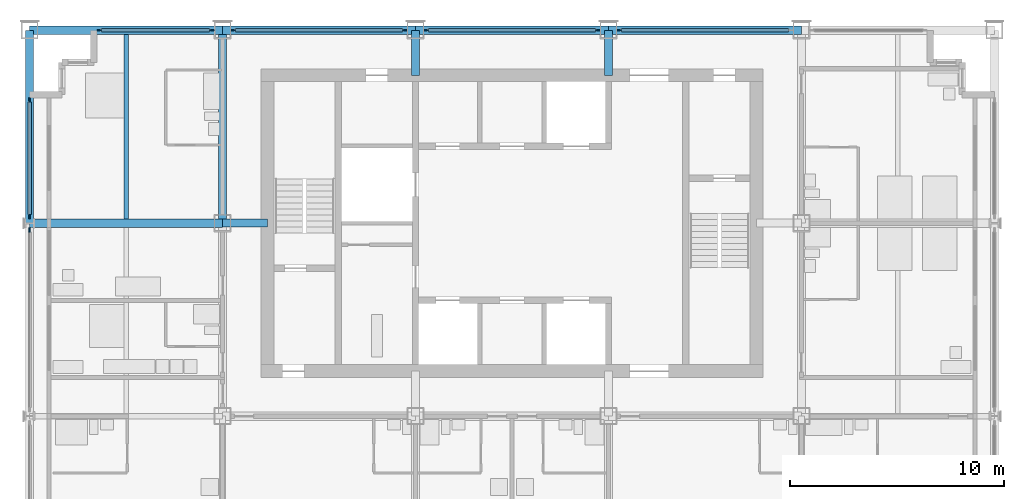
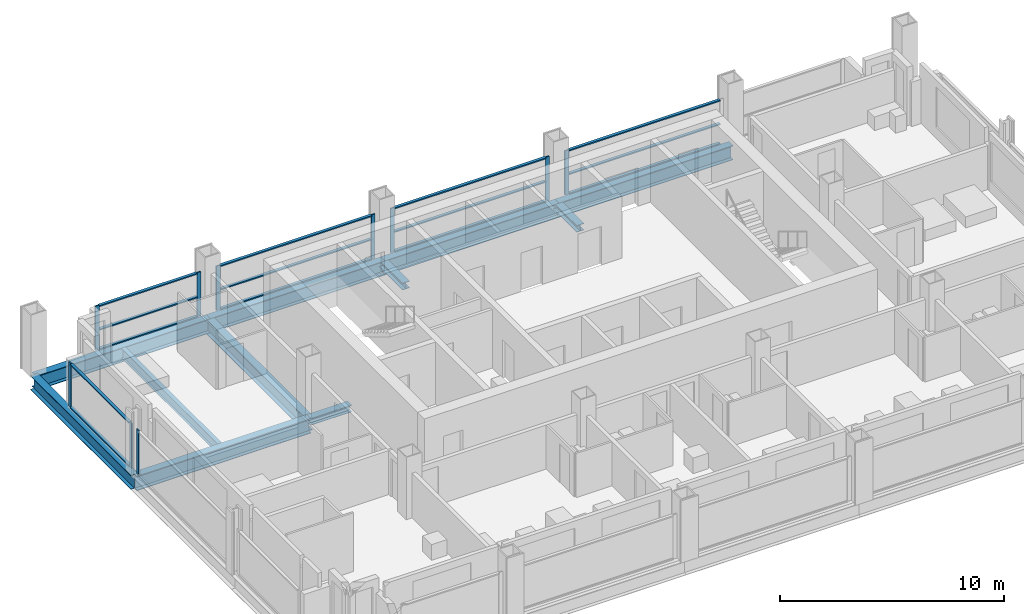
# One storey, part 4 of 13: 27 members, 8 beams, 6 elements without a shape of their own.
"""IFC4 building model written with IfcOpenShell, lengths in metres."""

import ifcopenshell
import ifcopenshell.guid

model = None  # the IFC model being written
_history = None  # IfcOwnerHistory: only IFC2X3 demands one
_inside = {}  # id of a spatial element -> (the spatial element, [elements in it])
_under = {}  # id of a project, library or spatial element -> (it, [spatial elements below it])
_declared = {}  # id of a project -> (the project, [libraries it declares])
_typed = {}  # id of a type object -> (the type object, [elements of that type])
_made_of = {}  # id of a material, layer set ... -> (it, [elements and type objects made of it])


def new_model(schema):
    """Start an empty IFC model of exactly this schema.

    Asked for "IFC4X3", IfcOpenShell would pick the latest addendum, in which some entities
    have other attributes; the version numbers below select the first issue.
    IFC2X3 requires an IfcOwnerHistory on every rooted entity: one is made here for all.
    """
    global model, _history
    if schema == "IFC4X3":
        model = ifcopenshell.file(schema_version=(4, 3, 0, 0))
    else:
        model = ifcopenshell.file(schema=schema)
    _inside.clear()
    _under.clear()
    _declared.clear()
    _typed.clear()
    _made_of.clear()
    _history = None
    if model.schema == "IFC2X3":
        org = make("IfcOrganization", Name="unknown")
        user = make(
            "IfcPersonAndOrganization",
            ThePerson=make("IfcPerson", FamilyName="unknown"),
            TheOrganization=org,
        )
        app = make(
            "IfcApplication",
            ApplicationDeveloper=org,
            Version="unknown",
            ApplicationFullName="unknown",
            ApplicationIdentifier="unknown",
        )
        _history = make(
            "IfcOwnerHistory",
            OwningUser=user,
            OwningApplication=app,
            ChangeAction="ADDED",
            CreationDate=0,
        )
    return model


def make(cls, **values):
    """One entity of the class cls with the attributes given. An attribute that is None is left unset."""
    return model.create_entity(
        cls, **{name: value for name, value in values.items() if value is not None}
    )


def rooted(cls, **values):
    """An entity with a GlobalId (a new one), such as an element, a storey or a relation."""
    return make(cls, GlobalId=ifcopenshell.guid.new(), OwnerHistory=_history, **values)


def si_unit(unit_type, name, prefix=None):
    """IfcSIUnit, for example si_unit("LENGTHUNIT", "METRE", prefix="MILLI")."""
    return make("IfcSIUnit", UnitType=unit_type, Prefix=prefix, Name=name)


def assignment(units):
    """IfcUnitAssignment: the units of a project."""
    return None if units is None else make("IfcUnitAssignment", Units=units)


def point(xyz):
    """IfcCartesianPoint."""
    return None if xyz is None else make("IfcCartesianPoint", Coordinates=xyz)


def direction(xyz):
    """IfcDirection."""
    return None if xyz is None else make("IfcDirection", DirectionRatios=xyz)


def frame(location, z_axis=None, x_axis=None):
    """IfcAxis2Placement3D, a coordinate frame: its origin and axes. An axis left out is left unset."""
    return make(
        "IfcAxis2Placement3D",
        Location=point(location),
        Axis=direction(z_axis),
        RefDirection=direction(x_axis),
    )


def frame_2d(location, x_axis=None):
    """IfcAxis2Placement2D, a coordinate frame in the plane: its origin and x axis."""
    return make(
        "IfcAxis2Placement2D", Location=point(location), RefDirection=direction(x_axis)
    )


def origin():
    """The frame at (0, 0, 0) with its axes left unset."""
    return frame((0.0, 0.0, 0.0))


def origin_2d():
    """The frame at (0, 0) in the plane with its x axis left unset."""
    return frame_2d((0.0, 0.0))


def place(relative_to, where):
    """IfcLocalPlacement: puts the frame where relative to a parent placement (None: the world)."""
    return make(
        "IfcLocalPlacement", PlacementRelTo=relative_to, RelativePlacement=where
    )


def context(
    kind, dimensions, precision=None, world=None, true_north=None, identifier=None
):
    """IfcGeometricRepresentationContext, for example the 3D "Model" context."""
    return make(
        "IfcGeometricRepresentationContext",
        ContextIdentifier=identifier,
        ContextType=kind,
        CoordinateSpaceDimension=dimensions,
        Precision=precision,
        WorldCoordinateSystem=world,
        TrueNorth=true_north,
    )


def subcontext(parent, identifier, kind, view, scale=None):
    """IfcGeometricRepresentationSubContext, for example "Body" below "Model"."""
    return make(
        "IfcGeometricRepresentationSubContext",
        ContextIdentifier=identifier,
        ContextType=kind,
        ParentContext=parent,
        TargetScale=scale,
        TargetView=view,
    )


def project(units=None, contexts=None):
    """IfcProject with its units and contexts."""
    return rooted(
        "IfcProject",
        Name="project",
        RepresentationContexts=contexts,
        UnitsInContext=assignment(units),
    )


def spatial(cls, under=None, at=None, **own):
    """A site, building, storey or space (cls), placed at a placement, below another one or the project."""
    s = rooted(cls, ObjectPlacement=at, **own)
    if under is not None:
        _under.setdefault(under.id(), (under, []))[1].append(s)
    return s


def profile(cls, at=None, kind="AREA", **sizes):
    """A parametric profile (cls). Its sizes go by their IFC names, for example OverallWidth=200.0."""
    return make(cls, ProfileType=kind, Position=at, **sizes)


def rectangle(**sizes):
    """IfcRectangleProfileDef."""
    return profile("IfcRectangleProfileDef", **sizes)


def i_section(**sizes):
    """IfcIShapeProfileDef."""
    return profile("IfcIShapeProfileDef", **sizes)


def extrude(swept, where, along, depth):
    """IfcExtrudedAreaSolid: the profile swept, set in the frame where, extruded along a direction by depth."""
    return make(
        "IfcExtrudedAreaSolid",
        SweptArea=swept,
        Position=where,
        ExtrudedDirection=direction(along),
        Depth=depth,
    )


def shape(context_of_items, identifier, shape_type, items):
    """IfcShapeRepresentation: the items that make up one representation, for example the "Body"."""
    return make(
        "IfcShapeRepresentation",
        ContextOfItems=context_of_items,
        RepresentationIdentifier=identifier,
        RepresentationType=shape_type,
        Items=items,
    )


def material(Name=None, Category=None):
    """IfcMaterial."""
    return make("IfcMaterial", Name=Name, Category=Category)


def material_profile(
    of_material, cross_section, Name=None, Category=None, Priority=None
):
    """IfcMaterialProfile: a cross section and its material."""
    return make(
        "IfcMaterialProfile",
        Name=Name,
        Material=of_material,
        Profile=cross_section,
        Priority=Priority,
        Category=Category,
    )


def profile_set(profiles, Name=None, composite=None):
    """IfcMaterialProfileSet."""
    return make(
        "IfcMaterialProfileSet",
        Name=Name,
        MaterialProfiles=profiles,
        CompositeProfile=composite,
    )


def made_of(thing, what):
    """Note that an element or type object is made of a material, layer set ...; save() writes the relation."""
    if what is not None:
        _made_of.setdefault(what.id(), (what, []))[1].append(thing)
    return thing


def type_object(cls, material=None, **own):
    """A type object (cls), such as IfcWallType, which elements share."""
    return made_of(rooted(cls, **own), material)


def element(
    cls,
    number,
    at=None,
    inside=None,
    cuts=None,
    type_object=None,
    material=None,
    context=None,
    identifier="Body",
    shape_type=None,
    held_by="IfcProductDefinitionShape",
    body=None,
    shapes=None,
    **own,
):
    """One element of the class cls, such as IfcWall. Its Tag is "e" and its number.

    at: its placement. inside: the storey or other place that contains it. cuts: it is an
    opening in that element (IfcRelVoidsElement). A single representation is given by context,
    identifier, shape_type and body (its items); several are given by shapes. held_by: the class
    of the entity that holds the representations. save() writes the other relations.
    """
    e = rooted(cls, Tag="e%d" % number, ObjectPlacement=at, **own)
    if body is not None:
        shapes = [shape(context, identifier, shape_type, body)]
    if shapes is not None:
        e.Representation = make(held_by, Representations=shapes)
    if inside is not None:
        _inside.setdefault(inside.id(), (inside, []))[1].append(e)
    if cuts is not None:
        rooted(
            "IfcRelVoidsElement", RelatingBuildingElement=cuts, RelatedOpeningElement=e
        )
    if type_object is not None:
        _typed.setdefault(type_object.id(), (type_object, []))[1].append(e)
    return made_of(e, material)


def aggregate(whole, parts):
    """IfcRelAggregates: a whole, such as a stair, and the parts it consists of."""
    return rooted("IfcRelAggregates", RelatingObject=whole, RelatedObjects=parts)


def save(model, path):
    """Write the relations noted so far, then the file.

    IfcRelAggregates (storeys below a building ...), IfcRelContainedInSpatialStructure (elements
    in a storey), IfcRelDefinesByType, IfcRelAssociatesMaterial and IfcRelDeclares: one each for
    every whole, place, type object, material and project.
    """
    for whole, parts in _under.values():
        aggregate(whole, parts)
    for where, things in _inside.values():
        rooted(
            "IfcRelContainedInSpatialStructure",
            RelatedElements=things,
            RelatingStructure=where,
        )
    for kind, things in _typed.values():
        rooted("IfcRelDefinesByType", RelatedObjects=things, RelatingType=kind)
    for what, things in _made_of.values():
        rooted("IfcRelAssociatesMaterial", RelatedObjects=things, RelatingMaterial=what)
    for by, libraries in _declared.values():
        rooted("IfcRelDeclares", RelatingContext=by, RelatedDefinitions=libraries)
    model.write(path)


model = new_model("IFC4")

# Units and contexts
model_context = context("Model", 3, precision=1e-05, world=origin(), true_north=direction((0.0, 1.0)))
body_context = subcontext(model_context, "Body", "Model", "MODEL_VIEW")
ifc_project = project(units=[si_unit("LENGTHUNIT", "METRE"), si_unit("AREAUNIT", "SQUARE_METRE"), si_unit("VOLUMEUNIT", "CUBIC_METRE"), si_unit("PLANEANGLEUNIT", "RADIAN"), si_unit("MASSUNIT", "GRAM", prefix="KILO")], contexts=[model_context])

# Site, building, storey
site_placement = place(None, origin())
site = spatial("IfcSite", under=ifc_project, at=site_placement, CompositionType="ELEMENT")
building_placement = place(site_placement, origin())
building = spatial("IfcBuilding", under=site, at=building_placement, Name="Loomwork Tower", CompositionType="ELEMENT")
storey_placement = place(building_placement, frame((0.0, 0.0, 214.800048828125)))
storey = spatial("IfcBuildingStorey", under=building, at=storey_placement, Name="L59", CompositionType="ELEMENT", Elevation=214.800048828125)

# Beams
ifc_material_1 = material(Name="Steel ASTM A992", Category="steel")
ifc_material_profile_1 = material_profile(ifc_material_1, i_section(OverallWidth=0.383544921875, OverallDepth=0.794921875, WebThickness=0.02099609375, FlangeThickness=0.0380859375, at=origin_2d()), Name="W30x235")
ifc_profile_set_1 = profile_set([ifc_material_profile_1], Name="Steel ASTM A992")
beam_type_1 = type_object("IfcBeamType", Name="CORE FLANK GIRDER W30x235", PredefinedType="BEAM", material=ifc_profile_set_1)
for number, where, z_axis, x_axis, name in (
    (1, (0.0, 18.0, -0.59765625), (1.0, 0.0, 0.0), (0.0, 1.0, 0.0), "Core Flank Girder F/2-F/3 L59"),
    (2, (9.0, 18.0, -0.59765625), (0.0, 1.0, 0.0), (-1.0, 0.0, 0.0), "Core Flank Girder F/3-G/3 L59"),
):
    element("IfcBeam", number, at=place(storey_placement, frame(where, z_axis=z_axis, x_axis=x_axis)), inside=storey, type_object=beam_type_1, Name=name, PredefinedType="BEAM", context=body_context, shape_type="SweptSolid", body=[
        extrude(i_section(OverallWidth=0.383544921875, OverallDepth=0.794921875, WebThickness=0.02099609375, FlangeThickness=0.0380859375, at=origin_2d()), origin(), (0.0, 0.0, 1.0), 9.0),
    ])

# Members
ifc_material_2 = material(Name="Steel ASTM A992", Category="steel")
ifc_material_profile_2 = material_profile(ifc_material_2, i_section(OverallWidth=0.373291015625, OverallDepth=0.373291015625, WebThickness=0.016357421875, FlangeThickness=0.026123046875, at=origin_2d()), Name="W14x132")
ifc_profile_set_2 = profile_set([ifc_material_profile_2], Name="Steel ASTM A992")
member_type_1 = type_object("IfcMemberType", Name="CORE LINK STRUT W14x132", PredefinedType="STRUT", material=ifc_profile_set_2)
for number, where, z_axis, x_axis, name in (
    (3, (27.0, 27.0, -0.38671875), (0.0, -1.0, 0.0), (1.0, 0.0, 0.0), "Core link strut G/5-27.000,24.900 L59"),
    (4, (18.0, 27.0, -0.38671875), (0.0, -1.0, 0.0), (1.0, 0.0, 0.0), "Core link strut G/4-18.000,24.900 L59"),
    (5, (9.0, 18.0, -0.38671875), (1.0, 0.0, 0.0), (0.0, 1.0, 0.0), "Core link strut F/3-11.100,18.000 L59"),
):
    element("IfcMember", number, at=place(storey_placement, frame(where, z_axis=z_axis, x_axis=x_axis)), inside=storey, type_object=member_type_1, Name=name, PredefinedType="STRUT", context=body_context, shape_type="SweptSolid", body=[
        extrude(i_section(OverallWidth=0.373291015625, OverallDepth=0.373291015625, WebThickness=0.016357421875, FlangeThickness=0.026123046875, at=origin_2d()), origin(), (0.0, 0.0, 1.0), 2.10009765625),
    ])

# Beam
ifc_material_3 = material(Name="Steel ASTM A992", Category="steel")
ifc_material_profile_3 = material_profile(ifc_material_3, i_section(OverallWidth=0.2109375, OverallDepth=0.53857421875, WebThickness=0.011474609375, FlangeThickness=0.018798828125, at=origin_2d()), Name="W21x73")
ifc_profile_set_3 = profile_set([ifc_material_profile_3], Name="Steel ASTM A992")
beam_type_2 = type_object("IfcBeamType", Name="FLOOR JOIST W21x73", PredefinedType="JOIST", material=ifc_profile_set_3)
beam_placement = place(storey_placement, frame((4.5, 18.19091796875, -0.46923828125), z_axis=(0.0, 1.0, 0.0), x_axis=(-1.0, 0.0, 0.0)))
element("IfcBeam", 6, at=beam_placement, inside=storey, type_object=beam_type_2, Name="Floor Joist 4.500,18.000-4.500,27.000 L59", PredefinedType="JOIST", context=body_context, shape_type="SweptSolid", body=[
    extrude(i_section(OverallWidth=0.2109375, OverallDepth=0.53857421875, WebThickness=0.011474609375, FlangeThickness=0.018798828125, at=origin_2d()), origin(), (0.0, 0.0, 1.0), 8.619140625),
])

# Curtain wall, member
ifc_material_4 = material(Name="Aluminium curtain wall frame", Category="aluminium")
curtain_wall_type_1 = type_object("IfcCurtainWallType", Name="Outer skin glazing hotel", PredefinedType="NOTDEFINED", material=ifc_material_4)
curtain_wall_1_placement = place(storey_placement, origin())
curtain_wall_1 = element("IfcCurtainWall", 7, at=curtain_wall_1_placement, inside=storey, type_object=curtain_wall_type_1, Name="Outer skin glazing hotel cw/W-9", PredefinedType="NOTDEFINED")
ifc_material_5 = material(Name="Aluminium curtain wall frame", Category="aluminium")
ifc_material_profile_4 = material_profile(ifc_material_5, rectangle(XDim=0.06494140625, YDim=0.199951171875, at=origin_2d()), Name="AL 65x200")
ifc_profile_set_4 = profile_set([ifc_material_profile_4], Name="Aluminium curtain wall frame")
member_type_2 = type_object("IfcMemberType", Name="Outer skin glazing hotel mullion", PredefinedType="MULLION", material=ifc_profile_set_4)
member_1_placement = place(storey_placement, frame((0.0, 17.6865234375, 0.0), z_axis=(0.0, 0.0, 1.0), x_axis=(1.0, 0.0, 0.0)))
member_1 = element("IfcMember", 8, at=member_1_placement, type_object=member_type_2, Name="CW1 mullion 1", PredefinedType="MULLION", context=body_context, shape_type="SweptSolid", body=[
    extrude(rectangle(XDim=0.06494140625, YDim=0.199951171875, at=origin_2d()), origin(), (0.0, 0.0, 1.0), 2.420166015625),
])
aggregate(curtain_wall_1, [member_1])

# Curtain wall, members
curtain_wall_2_placement = place(storey_placement, origin())
curtain_wall_2 = element("IfcCurtainWall", 9, at=curtain_wall_2_placement, inside=storey, type_object=curtain_wall_type_1, Name="Outer skin glazing hotel cw/W-18", PredefinedType="NOTDEFINED")
member_2_placement = place(storey_placement, frame((0.0, 23.75, 0.0), z_axis=(0.0, 0.0, 1.0), x_axis=(1.0, 0.0, 0.0)))
member_2 = element("IfcMember", 10, at=member_2_placement, type_object=member_type_2, Name="CW1 mullion 1", PredefinedType="MULLION", context=body_context, shape_type="SweptSolid", body=[
    extrude(rectangle(XDim=0.06494140625, YDim=0.199951171875, at=origin_2d()), origin(), (0.0, 0.0, 1.0), 2.420166015625),
])
member_3_placement = place(storey_placement, frame((0.0, 18.3134765625, 0.0), z_axis=(0.0, 0.0, 1.0), x_axis=(1.0, 0.0, 0.0)))
member_3 = element("IfcMember", 11, at=member_3_placement, type_object=member_type_2, Name="CW1 mullion 2", PredefinedType="MULLION", context=body_context, shape_type="SweptSolid", body=[
    extrude(rectangle(XDim=0.06494140625, YDim=0.199951171875, at=origin_2d()), origin(), (0.0, 0.0, 1.0), 2.420166015625),
])
ifc_material_6 = material(Name="Aluminium curtain wall frame", Category="aluminium")
ifc_material_profile_5 = material_profile(ifc_material_6, rectangle(XDim=0.14990234375, YDim=0.06494140625, at=origin_2d()), Name="AL 65x150")
ifc_profile_set_5 = profile_set([ifc_material_profile_5], Name="Aluminium curtain wall frame")
member_type_3 = type_object("IfcMemberType", Name="Outer skin glazing hotel transom", PredefinedType="USERDEFINED", material=ifc_profile_set_5)
member_4_placement = place(storey_placement, frame((0.0, 23.64990234375, 0.032470703125), z_axis=(0.0, -1.0, 0.0), x_axis=(1.0, 0.0, 0.0)))
member_4 = element("IfcMember", 12, at=member_4_placement, type_object=member_type_3, Name="CW1 transom 1.1", ObjectType="TRANSOM", PredefinedType="USERDEFINED", context=body_context, shape_type="SweptSolid", body=[
    extrude(rectangle(XDim=0.14990234375, YDim=0.06494140625, at=origin_2d()), origin(), (0.0, 0.0, 1.0), 5.236572265625),
])
member_5_placement = place(storey_placement, frame((0.0, 23.64990234375, 2.3876953125), z_axis=(0.0, -1.0, 0.0), x_axis=(1.0, 0.0, 0.0)))
member_5 = element("IfcMember", 13, at=member_5_placement, type_object=member_type_3, Name="CW1 transom 1.2", ObjectType="TRANSOM", PredefinedType="USERDEFINED", context=body_context, shape_type="SweptSolid", body=[
    extrude(rectangle(XDim=0.14990234375, YDim=0.06494140625, at=origin_2d()), origin(), (0.0, 0.0, 1.0), 5.236572265625),
])
aggregate(curtain_wall_2, [member_2, member_3, member_4, member_5])

# Beams
ifc_material_7 = material(Name="Steel ASTM A992", Category="steel")
ifc_material_profile_6 = material_profile(ifc_material_7, i_section(OverallWidth=0.381103515625, OverallDepth=0.77978515625, WebThickness=0.01806640625, FlangeThickness=0.0302734375, at=origin_2d()), Name="W30x191")
ifc_profile_set_6 = profile_set([ifc_material_profile_6], Name="Steel ASTM A992")
beam_type_3 = type_object("IfcBeamType", Name="SPANDREL GIRDER W30x191", PredefinedType="SPANDREL", material=ifc_profile_set_6)
for number, where, z_axis, x_axis, name in (
    (14, (0.0, 27.0, -0.58984375), (1.0, 0.0, 0.0), (0.0, 1.0, 0.0), "Spandrel Girder G/2-G/3 L59"),
    (15, (9.0, 27.0, -0.58984375), (1.0, 0.0, 0.0), (0.0, 1.0, 0.0), "Spandrel Girder G/3-G/4 L59"),
    (16, (18.0, 27.0, -0.58984375), (1.0, 0.0, 0.0), (0.0, 1.0, 0.0), "Spandrel Girder G/4-G/5 L59"),
    (17, (27.0, 27.0, -0.58984375), (1.0, 0.0, 0.0), (0.0, 1.0, 0.0), "Spandrel Girder G/5-G/6 L59"),
    (18, (0.0, 18.0, -0.58984375), (0.0, 1.0, 0.0), (-1.0, 0.0, 0.0), "Spandrel Girder F/2-G/2 L59"),
):
    element("IfcBeam", number, at=place(storey_placement, frame(where, z_axis=z_axis, x_axis=x_axis)), inside=storey, type_object=beam_type_3, Name=name, PredefinedType="SPANDREL", context=body_context, shape_type="SweptSolid", body=[
        extrude(i_section(OverallWidth=0.381103515625, OverallDepth=0.77978515625, WebThickness=0.01806640625, FlangeThickness=0.0302734375, at=origin_2d()), origin(), (0.0, 0.0, 1.0), 9.0),
    ])

# Curtain wall, members
ifc_material_8 = material(Name="Aluminium curtain wall frame", Category="aluminium")
curtain_wall_type_2 = type_object("IfcCurtainWallType", Name="Single skin glazing corridor", PredefinedType="NOTDEFINED", material=ifc_material_8)
curtain_wall_3_placement = place(storey_placement, origin())
curtain_wall_3 = element("IfcCurtainWall", 19, at=curtain_wall_3_placement, inside=storey, type_object=curtain_wall_type_2, Name="Single skin glazing corridor cw/N-0", PredefinedType="NOTDEFINED")
ifc_material_9 = material(Name="Aluminium curtain wall frame", Category="aluminium")
ifc_material_profile_7 = material_profile(ifc_material_9, rectangle(XDim=0.06494140625, YDim=0.199951171875, at=origin_2d()), Name="AL 65x200")
ifc_profile_set_7 = profile_set([ifc_material_profile_7], Name="Aluminium curtain wall frame")
member_type_4 = type_object("IfcMemberType", Name="Single skin glazing corridor mullion", PredefinedType="MULLION", material=ifc_profile_set_7)
member_6_placement = place(storey_placement, frame((8.5, 27.0, 0.0), z_axis=(0.0, 0.0, 1.0), x_axis=(0.0, -1.0, 0.0)))
member_6 = element("IfcMember", 20, at=member_6_placement, type_object=member_type_4, Name="CW3 mullion 1", PredefinedType="MULLION", context=body_context, shape_type="SweptSolid", body=[
    extrude(rectangle(XDim=0.06494140625, YDim=0.199951171875, at=origin_2d()), origin(), (0.0, 0.0, 1.0), 2.420166015625),
])
member_7_placement = place(storey_placement, frame((3.25, 27.0, 0.0), z_axis=(0.0, 0.0, 1.0), x_axis=(0.0, -1.0, 0.0)))
member_7 = element("IfcMember", 21, at=member_7_placement, type_object=member_type_4, Name="CW3 mullion 2", PredefinedType="MULLION", context=body_context, shape_type="SweptSolid", body=[
    extrude(rectangle(XDim=0.06494140625, YDim=0.199951171875, at=origin_2d()), origin(), (0.0, 0.0, 1.0), 2.420166015625),
])

curtain_wall_4_placement = place(storey_placement, origin())
curtain_wall_4 = element("IfcCurtainWall", 22, at=curtain_wall_4_placement, inside=storey, type_object=curtain_wall_type_2, Name="Single skin glazing corridor cw/N-9", PredefinedType="NOTDEFINED")
member_8_placement = place(storey_placement, frame((17.5, 27.0, 0.0), z_axis=(0.0, 0.0, 1.0), x_axis=(0.0, -1.0, 0.0)))
member_8 = element("IfcMember", 23, at=member_8_placement, type_object=member_type_4, Name="CW3 mullion 1", PredefinedType="MULLION", context=body_context, shape_type="SweptSolid", body=[
    extrude(rectangle(XDim=0.06494140625, YDim=0.199951171875, at=origin_2d()), origin(), (0.0, 0.0, 1.0), 2.420166015625),
])
member_9_placement = place(storey_placement, frame((9.5, 27.0, 0.0), z_axis=(0.0, 0.0, 1.0), x_axis=(0.0, -1.0, 0.0)))
member_9 = element("IfcMember", 24, at=member_9_placement, type_object=member_type_4, Name="CW3 mullion 2", PredefinedType="MULLION", context=body_context, shape_type="SweptSolid", body=[
    extrude(rectangle(XDim=0.06494140625, YDim=0.199951171875, at=origin_2d()), origin(), (0.0, 0.0, 1.0), 2.420166015625),
])

curtain_wall_5_placement = place(storey_placement, origin())
curtain_wall_5 = element("IfcCurtainWall", 25, at=curtain_wall_5_placement, inside=storey, type_object=curtain_wall_type_2, Name="Single skin glazing corridor cw/N-18", PredefinedType="NOTDEFINED")
member_10_placement = place(storey_placement, frame((26.5, 27.0, 0.0), z_axis=(0.0, 0.0, 1.0), x_axis=(0.0, -1.0, 0.0)))
member_10 = element("IfcMember", 26, at=member_10_placement, type_object=member_type_4, Name="CW3 mullion 1", PredefinedType="MULLION", context=body_context, shape_type="SweptSolid", body=[
    extrude(rectangle(XDim=0.06494140625, YDim=0.199951171875, at=origin_2d()), origin(), (0.0, 0.0, 1.0), 2.420166015625),
])
member_11_placement = place(storey_placement, frame((18.5, 27.0, 0.0), z_axis=(0.0, 0.0, 1.0), x_axis=(0.0, -1.0, 0.0)))
member_11 = element("IfcMember", 27, at=member_11_placement, type_object=member_type_4, Name="CW3 mullion 2", PredefinedType="MULLION", context=body_context, shape_type="SweptSolid", body=[
    extrude(rectangle(XDim=0.06494140625, YDim=0.199951171875, at=origin_2d()), origin(), (0.0, 0.0, 1.0), 2.420166015625),
])

# Curtain wall, member
curtain_wall_6_placement = place(storey_placement, origin())
curtain_wall_6 = element("IfcCurtainWall", 28, at=curtain_wall_6_placement, inside=storey, type_object=curtain_wall_type_2, Name="Single skin glazing corridor cw/N-27", PredefinedType="NOTDEFINED")
member_12_placement = place(storey_placement, frame((27.5, 27.0, 0.0), z_axis=(0.0, 0.0, 1.0), x_axis=(0.0, -1.0, 0.0)))
member_12 = element("IfcMember", 29, at=member_12_placement, type_object=member_type_4, Name="CW3 mullion 2", PredefinedType="MULLION", context=body_context, shape_type="SweptSolid", body=[
    extrude(rectangle(XDim=0.06494140625, YDim=0.199951171875, at=origin_2d()), origin(), (0.0, 0.0, 1.0), 2.420166015625),
])

# Member
ifc_material_10 = material(Name="Aluminium curtain wall frame", Category="aluminium")
ifc_material_profile_8 = material_profile(ifc_material_10, rectangle(XDim=0.14990234375, YDim=0.06494140625, at=origin_2d()), Name="AL 65x150")
ifc_profile_set_8 = profile_set([ifc_material_profile_8], Name="Aluminium curtain wall frame")
member_type_5 = type_object("IfcMemberType", Name="Single skin glazing corridor transom", PredefinedType="USERDEFINED", material=ifc_profile_set_8)
member_13_placement = place(storey_placement, frame((8.39990234375, 27.0, 0.032470703125), z_axis=(-1.0, 0.0, 0.0), x_axis=(0.0, -1.0, 0.0)))
member_13 = element("IfcMember", 30, at=member_13_placement, type_object=member_type_5, Name="CW3 transom 1.1", ObjectType="TRANSOM", PredefinedType="USERDEFINED", context=body_context, shape_type="SweptSolid", body=[
    extrude(rectangle(XDim=0.14990234375, YDim=0.06494140625, at=origin_2d()), origin(), (0.0, 0.0, 1.0), 5.0498046875),
])

member_14_placement = place(storey_placement, frame((8.39990234375, 27.0, 1.099853515625), z_axis=(-1.0, 0.0, 0.0), x_axis=(0.0, -1.0, 0.0)))
member_14 = element("IfcMember", 31, at=member_14_placement, type_object=member_type_5, Name="CW3 transom 1.2", ObjectType="TRANSOM", PredefinedType="USERDEFINED", context=body_context, shape_type="SweptSolid", body=[
    extrude(rectangle(XDim=0.14990234375, YDim=0.06494140625, at=origin_2d()), origin(), (0.0, 0.0, 1.0), 5.0498046875),
])

member_15_placement = place(storey_placement, frame((8.39990234375, 27.0, 2.3876953125), z_axis=(-1.0, 0.0, 0.0), x_axis=(0.0, -1.0, 0.0)))
member_15 = element("IfcMember", 32, at=member_15_placement, type_object=member_type_5, Name="CW3 transom 1.3", ObjectType="TRANSOM", PredefinedType="USERDEFINED", context=body_context, shape_type="SweptSolid", body=[
    extrude(rectangle(XDim=0.14990234375, YDim=0.06494140625, at=origin_2d()), origin(), (0.0, 0.0, 1.0), 5.0498046875),
])

aggregate(curtain_wall_3, [member_6, member_7, member_13, member_14, member_15])

member_16_placement = place(storey_placement, frame((17.39990234375, 27.0, 0.032470703125), z_axis=(-1.0, 0.0, 0.0), x_axis=(0.0, -1.0, 0.0)))
member_16 = element("IfcMember", 33, at=member_16_placement, type_object=member_type_5, Name="CW3 transom 1.1", ObjectType="TRANSOM", PredefinedType="USERDEFINED", context=body_context, shape_type="SweptSolid", body=[
    extrude(rectangle(XDim=0.14990234375, YDim=0.06494140625, at=origin_2d()), origin(), (0.0, 0.0, 1.0), 7.7998046875),
])

member_17_placement = place(storey_placement, frame((17.39990234375, 27.0, 1.099853515625), z_axis=(-1.0, 0.0, 0.0), x_axis=(0.0, -1.0, 0.0)))
member_17 = element("IfcMember", 34, at=member_17_placement, type_object=member_type_5, Name="CW3 transom 1.2", ObjectType="TRANSOM", PredefinedType="USERDEFINED", context=body_context, shape_type="SweptSolid", body=[
    extrude(rectangle(XDim=0.14990234375, YDim=0.06494140625, at=origin_2d()), origin(), (0.0, 0.0, 1.0), 7.7998046875),
])

member_18_placement = place(storey_placement, frame((17.39990234375, 27.0, 2.3876953125), z_axis=(-1.0, 0.0, 0.0), x_axis=(0.0, -1.0, 0.0)))
member_18 = element("IfcMember", 35, at=member_18_placement, type_object=member_type_5, Name="CW3 transom 1.3", ObjectType="TRANSOM", PredefinedType="USERDEFINED", context=body_context, shape_type="SweptSolid", body=[
    extrude(rectangle(XDim=0.14990234375, YDim=0.06494140625, at=origin_2d()), origin(), (0.0, 0.0, 1.0), 7.7998046875),
])

aggregate(curtain_wall_4, [member_8, member_9, member_16, member_17, member_18])

member_19_placement = place(storey_placement, frame((26.39990234375, 27.0, 0.032470703125), z_axis=(-1.0, 0.0, 0.0), x_axis=(0.0, -1.0, 0.0)))
member_19 = element("IfcMember", 36, at=member_19_placement, type_object=member_type_5, Name="CW3 transom 1.1", ObjectType="TRANSOM", PredefinedType="USERDEFINED", context=body_context, shape_type="SweptSolid", body=[
    extrude(rectangle(XDim=0.14990234375, YDim=0.06494140625, at=origin_2d()), origin(), (0.0, 0.0, 1.0), 7.7998046875),
])

member_20_placement = place(storey_placement, frame((26.39990234375, 27.0, 1.099853515625), z_axis=(-1.0, 0.0, 0.0), x_axis=(0.0, -1.0, 0.0)))
member_20 = element("IfcMember", 37, at=member_20_placement, type_object=member_type_5, Name="CW3 transom 1.2", ObjectType="TRANSOM", PredefinedType="USERDEFINED", context=body_context, shape_type="SweptSolid", body=[
    extrude(rectangle(XDim=0.14990234375, YDim=0.06494140625, at=origin_2d()), origin(), (0.0, 0.0, 1.0), 7.7998046875),
])

member_21_placement = place(storey_placement, frame((26.39990234375, 27.0, 2.3876953125), z_axis=(-1.0, 0.0, 0.0), x_axis=(0.0, -1.0, 0.0)))
member_21 = element("IfcMember", 38, at=member_21_placement, type_object=member_type_5, Name="CW3 transom 1.3", ObjectType="TRANSOM", PredefinedType="USERDEFINED", context=body_context, shape_type="SweptSolid", body=[
    extrude(rectangle(XDim=0.14990234375, YDim=0.06494140625, at=origin_2d()), origin(), (0.0, 0.0, 1.0), 7.7998046875),
])

aggregate(curtain_wall_5, [member_10, member_11, member_19, member_20, member_21])

member_22_placement = place(storey_placement, frame((35.39990234375, 27.0, 0.032470703125), z_axis=(-1.0, 0.0, 0.0), x_axis=(0.0, -1.0, 0.0)))
member_22 = element("IfcMember", 39, at=member_22_placement, type_object=member_type_5, Name="CW3 transom 1.1", ObjectType="TRANSOM", PredefinedType="USERDEFINED", context=body_context, shape_type="SweptSolid", body=[
    extrude(rectangle(XDim=0.14990234375, YDim=0.06494140625, at=origin_2d()), origin(), (0.0, 0.0, 1.0), 7.7998046875),
])

member_23_placement = place(storey_placement, frame((35.39990234375, 27.0, 1.099853515625), z_axis=(-1.0, 0.0, 0.0), x_axis=(0.0, -1.0, 0.0)))
member_23 = element("IfcMember", 40, at=member_23_placement, type_object=member_type_5, Name="CW3 transom 1.2", ObjectType="TRANSOM", PredefinedType="USERDEFINED", context=body_context, shape_type="SweptSolid", body=[
    extrude(rectangle(XDim=0.14990234375, YDim=0.06494140625, at=origin_2d()), origin(), (0.0, 0.0, 1.0), 7.7998046875),
])

member_24_placement = place(storey_placement, frame((35.39990234375, 27.0, 2.3876953125), z_axis=(-1.0, 0.0, 0.0), x_axis=(0.0, -1.0, 0.0)))
member_24 = element("IfcMember", 41, at=member_24_placement, type_object=member_type_5, Name="CW3 transom 1.3", ObjectType="TRANSOM", PredefinedType="USERDEFINED", context=body_context, shape_type="SweptSolid", body=[
    extrude(rectangle(XDim=0.14990234375, YDim=0.06494140625, at=origin_2d()), origin(), (0.0, 0.0, 1.0), 7.7998046875),
])

aggregate(curtain_wall_6, [member_12, member_22, member_23, member_24])

save(model, "model.ifc")
